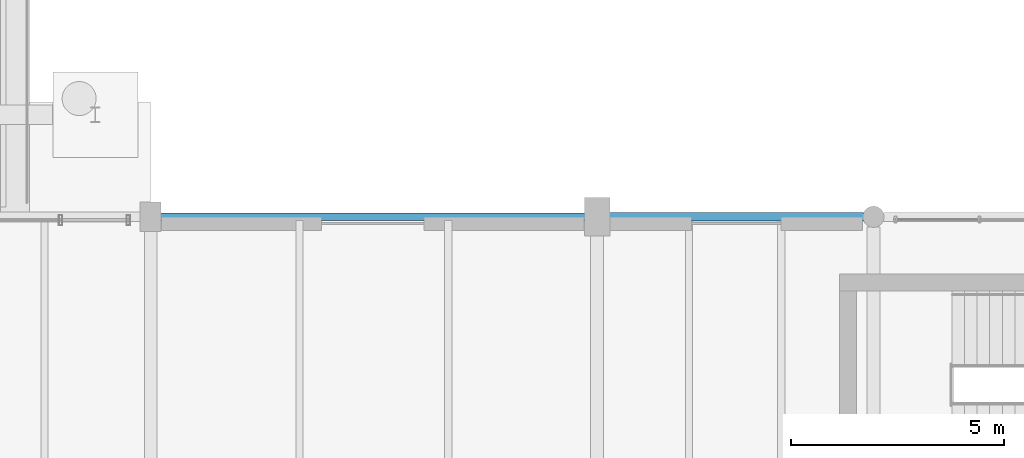
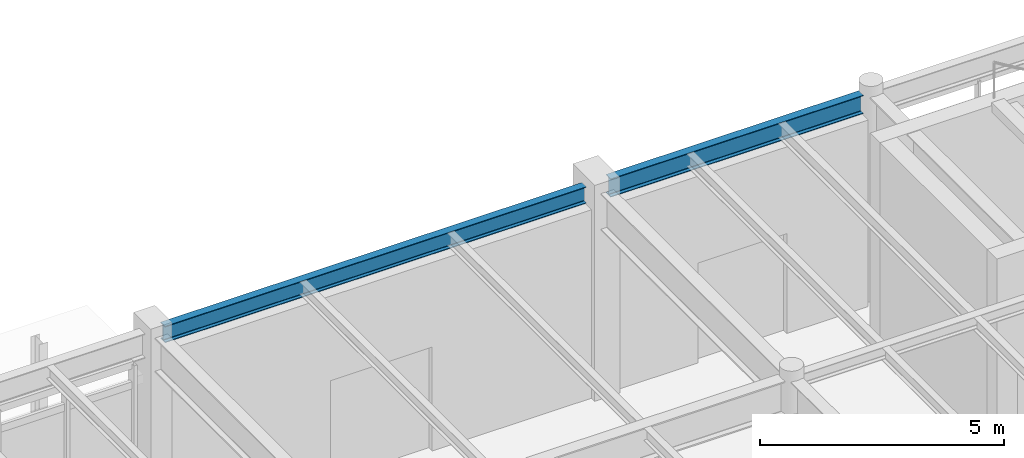
# One storey, part 140 of 203: 2 beams.
"""IFC4 building model written with IfcOpenShell, lengths in metres."""

from ifc_helpers import new_model, si_unit, direction, frame, origin, origin_2d, place, context, subcontext, project, spatial, i_section, extrude, material, material_profile, profile_set, type_object, element, save


model = new_model("IFC4")

# Units and contexts
model_context = context("Model", 3, precision=1e-05, world=origin(), true_north=direction((0.0, 1.0)))
body_context = subcontext(model_context, "Body", "Model", "MODEL_VIEW")
ifc_project = project(units=[si_unit("LENGTHUNIT", "METRE"), si_unit("AREAUNIT", "SQUARE_METRE"), si_unit("VOLUMEUNIT", "CUBIC_METRE"), si_unit("PLANEANGLEUNIT", "RADIAN"), si_unit("MASSUNIT", "GRAM", prefix="KILO"), si_unit("THERMODYNAMICTEMPERATUREUNIT", "KELVIN"), si_unit("POWERUNIT", "WATT")], contexts=[model_context])

# Site, building, storey
site_placement = place(None, origin())
site = spatial("IfcSite", under=ifc_project, at=site_placement, CompositionType="ELEMENT")
building_placement = place(site_placement, origin())
building = spatial("IfcBuilding", under=site, at=building_placement, Name="Tepalcoro Natatorium and Aquatics Centre", CompositionType="ELEMENT")
storey_placement = place(building_placement, origin())
storey = spatial("IfcBuildingStorey", under=building, at=storey_placement, Name="L00", CompositionType="ELEMENT", Elevation=0.0)

# Beams
ifc_material = material(Name="Steel ASTM A992 Grade 50 (Fy 345 MPa)", Category="steel")
ifc_material_profile_1 = material_profile(ifc_material, i_section(OverallWidth=0.179931640625, OverallDepth=0.4130859375, WebThickness=0.010009765625, FlangeThickness=0.01611328125, FilletRadius=0.013916015625, at=origin_2d()), Name="W16X50")
ifc_profile_set_1 = profile_set([ifc_material_profile_1], Name="Steel ASTM A992 Grade 50 (Fy 345 MPa)")
beam_type_1 = type_object("IfcBeamType", Name="SP_HSS300x200x12", PredefinedType="SPANDREL", material=ifc_profile_set_1)
beam_1_placement = place(storey_placement, frame((36.235107421875, 118.0, 4.9384765625), z_axis=(1.0, 0.0, 0.0), x_axis=(0.0, 1.0, 0.0)))
element("IfcBeam", 1, at=beam_1_placement, inside=storey, type_object=beam_type_1, Name="V4 L00 Grid Girder X", PredefinedType="SPANDREL", context=body_context, shape_type="SweptSolid", body=[
    extrude(i_section(OverallWidth=0.179931640625, OverallDepth=0.4130859375, WebThickness=0.010009765625, FlangeThickness=0.01611328125, FilletRadius=0.013916015625, at=origin_2d()), origin(), (0.0, 0.0, 1.0), 9.97998046875),
])
ifc_material_profile_2 = material_profile(ifc_material, i_section(OverallWidth=0.19091796875, OverallDepth=0.4599609375, WebThickness=0.010009765625, FlangeThickness=0.01611328125, FilletRadius=0.013916015625, at=origin_2d()), Name="W18X55")
ifc_profile_set_2 = profile_set([ifc_material_profile_2], Name="Steel ASTM A992 Grade 50 (Fy 345 MPa)")
beam_type_2 = type_object("IfcBeamType", Name="SP_W18x55", PredefinedType="SPANDREL", material=ifc_profile_set_2)
beam_2_placement = place(storey_placement, frame((46.784912109375, 118.0, 4.9150390625), z_axis=(1.0, 0.0, 0.0), x_axis=(0.0, 1.0, 0.0)))
element("IfcBeam", 2, at=beam_2_placement, inside=storey, type_object=beam_type_2, Name="V4 L00 Grid Girder X", PredefinedType="SPANDREL", context=body_context, shape_type="SweptSolid", body=[
    extrude(i_section(OverallWidth=0.19091796875, OverallDepth=0.4599609375, WebThickness=0.010009765625, FlangeThickness=0.01611328125, FilletRadius=0.013916015625, at=origin_2d()), origin(), (0.0, 0.0, 1.0), 5.97998046875),
])

save(model, "model.ifc")
